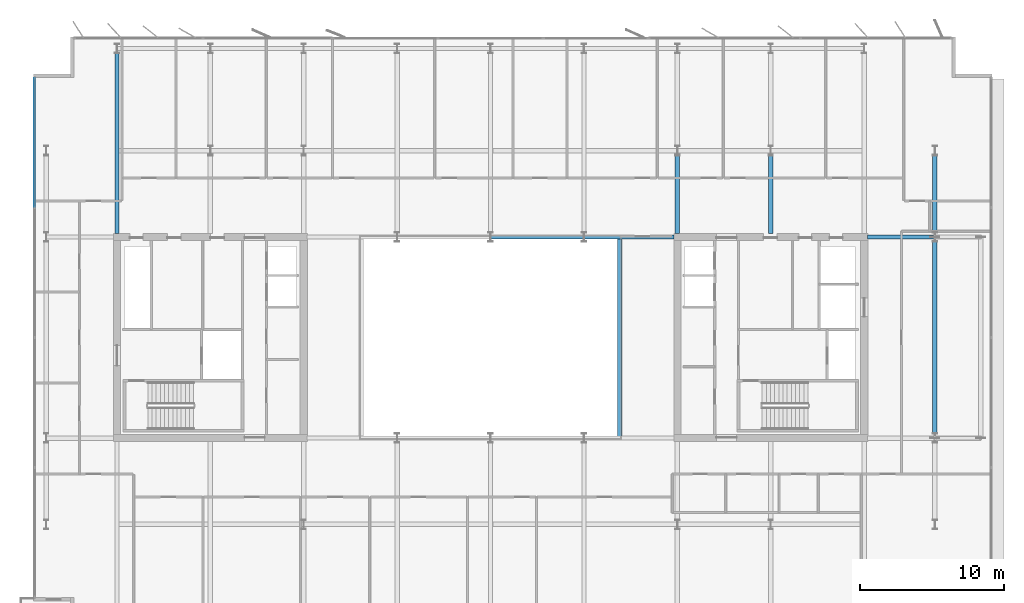
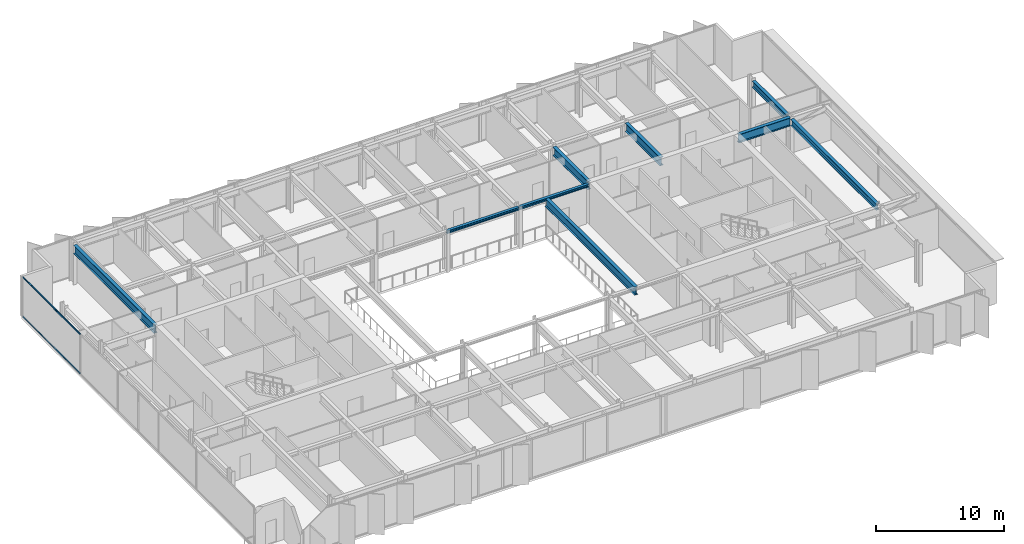
# One storey, part 7 of 20: 9 beams, 2 members, 1 element without a shape of its own.
"""IFC4 building model written with IfcOpenShell, lengths in metres."""

from ifc_helpers import new_model, si_unit, direction, frame, origin, origin_2d, place, context, subcontext, project, spatial, rectangle, i_section, extrude, material, layer, layer_set, material_profile, profile_set, type_object, element, aggregate, save


model = new_model("IFC4")

# Units and contexts
model_context = context("Model", 3, precision=1e-05, world=origin(), true_north=direction((0.0, 1.0)))
body_context = subcontext(model_context, "Body", "Model", "MODEL_VIEW")
ifc_project = project(units=[si_unit("LENGTHUNIT", "METRE"), si_unit("AREAUNIT", "SQUARE_METRE"), si_unit("VOLUMEUNIT", "CUBIC_METRE"), si_unit("PLANEANGLEUNIT", "RADIAN"), si_unit("MASSUNIT", "GRAM", prefix="KILO")], contexts=[model_context])

# Site, building, storey
site_placement = place(None, origin())
site = spatial("IfcSite", under=ifc_project, at=site_placement, CompositionType="ELEMENT")
building_placement = place(site_placement, origin())
building = spatial("IfcBuilding", under=site, at=building_placement, Name="Putna Gate Headquarters", CompositionType="ELEMENT")
storey_placement = place(building_placement, frame((0.0, 0.0, 298.39990234375)))
storey = spatial("IfcBuildingStorey", under=building, at=storey_placement, Name="L75", CompositionType="ELEMENT", Elevation=298.39990234375)

# Beams
ifc_material_1 = material(Name="Steel S355J2", Category="steel")
ifc_material_profile_1 = material_profile(ifc_material_1, i_section(OverallWidth=0.260009765625, OverallDepth=0.260009765625, WebThickness=0.010009765625, FlangeThickness=0.017578125, at=origin_2d()), Name="Steel S355J2")
ifc_profile_set_1 = profile_set([ifc_material_profile_1], Name="Steel S355J2")
beam_type_1 = type_object("IfcBeamType", Name="BM-ATRIUM-HEB260", PredefinedType="BEAM", material=ifc_profile_set_1)
beam_1_placement = place(storey_placement, frame((39.006103515625, 33.0, 3.658203125), z_axis=(1.0, 0.0, 0.0), x_axis=(0.0, 1.0, 0.0)))
element("IfcBeam", 1, at=beam_1_placement, inside=storey, type_object=beam_type_1, Name="L75 Atrium Edge Beam AN3", PredefinedType="BEAM", context=body_context, shape_type="SweptSolid", body=[
    extrude(i_section(OverallWidth=0.260009765625, OverallDepth=0.260009765625, WebThickness=0.010009765625, FlangeThickness=0.017578125, at=origin_2d()), origin(), (0.0, 0.0, 1.0), 6.48779296875),
])
beam_2_placement = place(storey_placement, frame((45.506103515625, 33.0, 3.658203125), z_axis=(1.0, 0.0, 0.0), x_axis=(0.0, 1.0, 0.0)))
element("IfcBeam", 2, at=beam_2_placement, inside=storey, type_object=beam_type_1, Name="L75 Atrium Edge Beam AN4", PredefinedType="BEAM", context=body_context, shape_type="SweptSolid", body=[
    extrude(i_section(OverallWidth=0.260009765625, OverallDepth=0.260009765625, WebThickness=0.010009765625, FlangeThickness=0.017578125, at=origin_2d()), origin(), (0.0, 0.0, 1.0), 6.2587890625),
])
ifc_material_profile_2 = material_profile(ifc_material_1, i_section(OverallWidth=0.300048828125, OverallDepth=0.800048828125, WebThickness=0.017578125, FlangeThickness=0.032958984375, at=origin_2d()), Name="Steel S355J2")
ifc_profile_set_2 = profile_set([ifc_material_profile_2], Name="Steel S355J2")
beam_type_2 = type_object("IfcBeamType", Name="BM-GIRD-P-HEB800", PredefinedType="USERDEFINED", material=ifc_profile_set_2)
beam_3_placement = place(storey_placement, frame((65.235107421875, 33.0, 3.38818359375), z_axis=(1.0, 0.0, 0.0), x_axis=(0.0, 1.0, 0.0)))
element("IfcBeam", 3, at=beam_3_placement, inside=storey, type_object=beam_type_2, Name="L75 East Wing Girder Y33", ObjectType="GIRDER", PredefinedType="USERDEFINED", context=body_context, shape_type="SweptSolid", body=[
    extrude(i_section(OverallWidth=0.300048828125, OverallDepth=0.800048828125, WebThickness=0.017578125, FlangeThickness=0.032958984375, at=origin_2d()), origin(), (0.0, 0.0, 1.0), 4.678955078125),
])
beam_4_placement = place(storey_placement, frame((13.0, 33.235107421875, 3.38818359375), z_axis=(0.0, 1.0, 0.0), x_axis=(-1.0, 0.0, 0.0)))
element("IfcBeam", 4, at=beam_4_placement, inside=storey, type_object=beam_type_2, Name="L75 North Primary Girder X13", ObjectType="GIRDER", PredefinedType="USERDEFINED", context=body_context, shape_type="SweptSolid", body=[
    extrude(i_section(OverallWidth=0.300048828125, OverallDepth=0.800048828125, WebThickness=0.017578125, FlangeThickness=0.032958984375, at=origin_2d()), origin(), (0.0, 0.0, 1.0), 12.56298828125),
])
for number, where, z_axis, x_axis, name in (
    (5, (52.0, 33.235107421875, 3.38818359375), (0.0, 1.0, 0.0), (-1.0, 0.0, 0.0), "L75 North Primary Girder X52-1"),
    (6, (58.5, 33.235107421875, 3.38818359375), (0.0, 1.0, 0.0), (-1.0, 0.0, 0.0), "L75 North Primary Girder X58-1"),
):
    element("IfcBeam", number, at=place(storey_placement, frame(where, z_axis=z_axis, x_axis=x_axis)), inside=storey, type_object=beam_type_2, Name=name, ObjectType="GIRDER", PredefinedType="USERDEFINED", context=body_context, shape_type="SweptSolid", body=[
        extrude(i_section(OverallWidth=0.300048828125, OverallDepth=0.800048828125, WebThickness=0.017578125, FlangeThickness=0.032958984375, at=origin_2d()), origin(), (0.0, 0.0, 1.0), 5.44287109375),
    ])
beam_5_placement = place(storey_placement, frame((48.0, 19.010009765625, 3.38818359375), z_axis=(0.0, 1.0, 0.0), x_axis=(-1.0, 0.0, 0.0)))
element("IfcBeam", 7, at=beam_5_placement, inside=storey, type_object=beam_type_2, Name="L75 Atrium Trim Girder AE", ObjectType="GIRDER", PredefinedType="USERDEFINED", context=body_context, shape_type="SweptSolid", body=[
    extrude(i_section(OverallWidth=0.300048828125, OverallDepth=0.800048828125, WebThickness=0.017578125, FlangeThickness=0.032958984375, at=origin_2d()), origin(), (0.0, 0.0, 1.0), 13.97998046875),
])
ifc_material_profile_3 = material_profile(ifc_material_1, i_section(OverallWidth=0.300048828125, OverallDepth=0.590087890625, WebThickness=0.012939453125, FlangeThickness=0.02490234375, at=origin_2d()), Name="Steel S355J2")
ifc_profile_set_3 = profile_set([ifc_material_profile_3], Name="Steel S355J2")
beam_type_3 = type_object("IfcBeamType", Name="BM-SPAN-Z4-HEA600", PredefinedType="SPANDREL", material=ifc_profile_set_3)
beam_6_placement = place(storey_placement, frame((69.919921875, 19.322021484375, 3.4931640625), z_axis=(0.0, 1.0, 0.0), x_axis=(-1.0, 0.0, 0.0)))
element("IfcBeam", 8, at=beam_6_placement, inside=storey, type_object=beam_type_3, Name="L75 E End Spandrel 2", PredefinedType="SPANDREL", context=body_context, shape_type="SweptSolid", body=[
    extrude(i_section(OverallWidth=0.300048828125, OverallDepth=0.590087890625, WebThickness=0.012939453125, FlangeThickness=0.02490234375, at=origin_2d()), origin(), (0.0, 0.0, 1.0), 13.35595703125),
])
beam_7_placement = place(storey_placement, frame((69.919921875, 33.322021484375, 3.4931640625), z_axis=(0.0, 1.0, 0.0), x_axis=(-1.0, 0.0, 0.0)))
element("IfcBeam", 9, at=beam_7_placement, inside=storey, type_object=beam_type_3, Name="L75 E End Spandrel 3", PredefinedType="SPANDREL", context=body_context, shape_type="SweptSolid", body=[
    extrude(i_section(OverallWidth=0.300048828125, OverallDepth=0.590087890625, WebThickness=0.012939453125, FlangeThickness=0.02490234375, at=origin_2d()), origin(), (0.0, 0.0, 1.0), 5.35595703125),
])

# Curtain wall, members
ifc_material_2 = material(Name="Anodised bronze aluminium curtain wall", Category="aluminium")
ifc_layer = layer(ifc_material_2, 0.179931640625)
ifc_layer_set = layer_set([ifc_layer], Name="Anodised bronze aluminium curtain wall")
curtain_wall_type = type_object("IfcCurtainWallType", Name="CW-SYS-Z5", PredefinedType="USERDEFINED", material=ifc_layer_set)
curtain_wall_placement = place(storey_placement, origin())
curtain_wall = element("IfcCurtainWall", 10, at=curtain_wall_placement, inside=storey, type_object=curtain_wall_type, Name="L75 West Curtain Wall", ObjectType="STICK CURTAIN WALL", PredefinedType="USERDEFINED")
ifc_material_3 = material(Name="Anodised bronze aluminium EN AW-6060", Category="aluminium")
ifc_material_profile_4 = material_profile(ifc_material_3, rectangle(XDim=0.06005859375, YDim=0.10009765625, at=origin_2d()), Name="Anodised bronze aluminium EN AW-6060")
ifc_profile_set_4 = profile_set([ifc_material_profile_4], Name="Anodised bronze aluminium EN AW-6060")
member_type = type_object("IfcMemberType", Name="TRAN-CWT-5", PredefinedType="USERDEFINED", material=ifc_profile_set_4)
member_1_placement = place(storey_placement, frame((7.280029296875, 35.0849609375, 0.030029296875), z_axis=(0.0, 1.0, 0.0), x_axis=(-1.0, 0.0, 0.0)))
member_1 = element("IfcMember", 11, at=member_1_placement, type_object=member_type, Name="CWS-5 transom 4.1", ObjectType="TRANSOM", PredefinedType="USERDEFINED", context=body_context, shape_type="SweptSolid", body=[
    extrude(rectangle(XDim=0.06005859375, YDim=0.10009765625, at=origin_2d()), origin(), (0.0, 0.0, 1.0), 8.945068359375),
])
member_2_placement = place(storey_placement, frame((7.280029296875, 35.0849609375, 3.758056640625), z_axis=(0.0, 1.0, 0.0), x_axis=(-1.0, 0.0, 0.0)))
member_2 = element("IfcMember", 12, at=member_2_placement, type_object=member_type, Name="CWS-5 transom 4.2", ObjectType="TRANSOM", PredefinedType="USERDEFINED", context=body_context, shape_type="SweptSolid", body=[
    extrude(rectangle(XDim=0.06005859375, YDim=0.10009765625, at=origin_2d()), origin(), (0.0, 0.0, 1.0), 8.945068359375),
])
aggregate(curtain_wall, [member_1, member_2])

save(model, "model.ifc")
